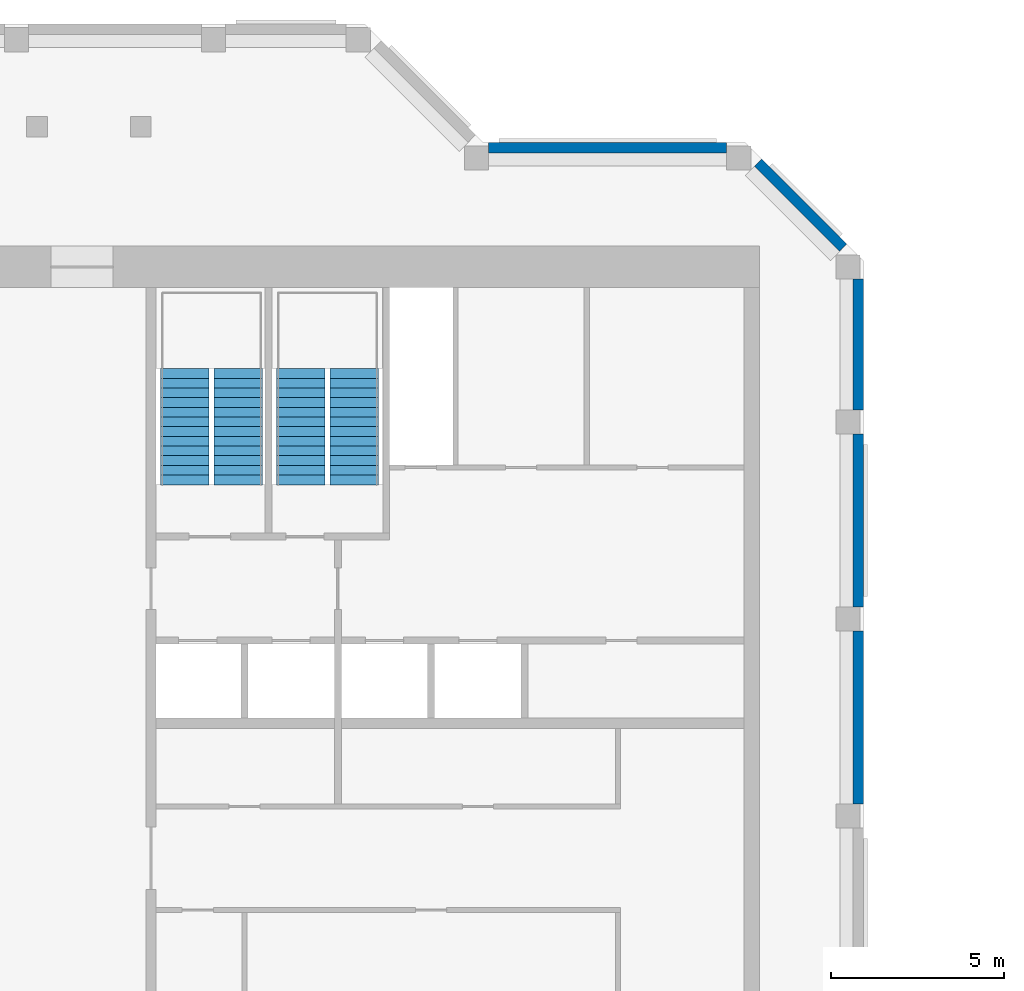
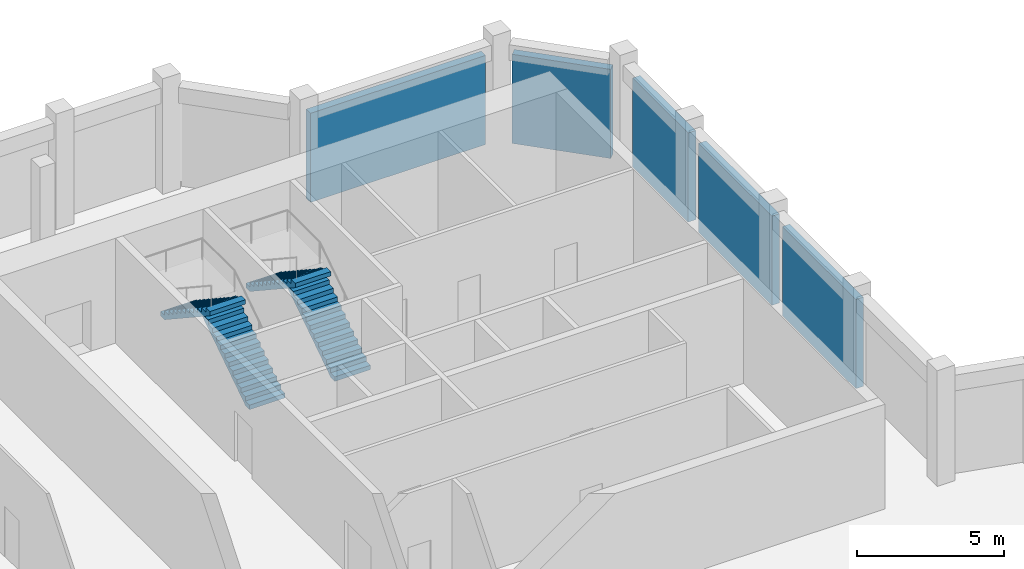
# One storey, part 4 of 5: 5 walls, 4 stair flights, 2 elements without a shape of their own.
"""IFC4 building model written with IfcOpenShell, lengths in metres."""

from ifc_helpers import new_model, si_unit, direction, frame, frame_2d, origin, place, context, subcontext, project, spatial, polyline, rectangle, outline, extrude, material, layer, layer_set, type_object, element, aggregate, save


model = new_model("IFC4")

# Units and contexts
model_context = context("Model", 3, precision=1e-05, world=origin(), true_north=direction((0.0, 1.0)))
body_context = subcontext(model_context, "Body", "Model", "MODEL_VIEW")
ifc_project = project(units=[si_unit("LENGTHUNIT", "METRE"), si_unit("AREAUNIT", "SQUARE_METRE"), si_unit("VOLUMEUNIT", "CUBIC_METRE"), si_unit("PLANEANGLEUNIT", "RADIAN"), si_unit("MASSUNIT", "GRAM", prefix="KILO")], contexts=[model_context])

# Site, building, storey
site_placement = place(None, origin())
site = spatial("IfcSite", under=ifc_project, at=site_placement, CompositionType="ELEMENT")
building_placement = place(site_placement, origin())
building = spatial("IfcBuilding", under=site, at=building_placement, Name="Meshkara Civic Tower", CompositionType="ELEMENT")
storey_placement = place(building_placement, frame((0.0, 0.0, 414.60009765625)))
storey = spatial("IfcBuildingStorey", under=building, at=storey_placement, Name="L95 Crown", CompositionType="ELEMENT", Elevation=414.60009765625)

# Walls
ifc_material_1 = material(Name="Insulated infill panel with bronze anodised aluminium cladding", Category="aluminium")
ifc_layer = layer(ifc_material_1, 0.300048828125)
ifc_layer_set = layer_set([ifc_layer], Name="CROWN WALL 300")
wall_type = type_object("IfcWallType", Name="CROWN WALL 300", PredefinedType="SOLIDWALL", material=ifc_layer_set)
for number, where, z_axis, x_axis, name in (
    (1, (33.64990234375, 20.76904296875, 0.0), (0.0, 0.0, 1.0), (0.0, 1.0, 0.0), "Crown external wall"),
    (2, (33.64990234375, 26.468994140625, 0.0), (0.0, 0.0, 1.0), (0.0, 1.0, 0.0), "Crown external wall"),
):
    element("IfcWall", number, at=place(storey_placement, frame(where, z_axis=z_axis, x_axis=x_axis)), inside=storey, type_object=wall_type, Name=name, PredefinedType="SOLIDWALL", context=body_context, shape_type="SweptSolid", body=[
        extrude(rectangle(XDim=5.0, YDim=0.300048828125, at=frame_2d((2.5, 0.0))), origin(), (0.0, 0.0, 1.0), 3.699951171875),
    ])
wall_1_placement = place(storey_placement, frame((33.64990234375, 32.1689453125, 0.0), z_axis=(0.0, 0.0, 1.0), x_axis=(0.0, 1.0, 0.0)))
element("IfcWall", 3, at=wall_1_placement, inside=storey, type_object=wall_type, Name="Crown external wall", PredefinedType="SOLIDWALL", context=body_context, shape_type="SweptSolid", body=[
    extrude(rectangle(XDim=3.775146484375, YDim=0.300048828125, at=frame_2d((1.8876953125, 0.0))), origin(), (0.0, 0.0, 1.0), 3.699951171875),
])
wall_2_placement = place(storey_placement, frame((33.2119140625, 36.85595703125, 0.0), z_axis=(0.0, 0.0, 1.0), x_axis=(-0.707071634094, 0.707141926532, 0.0)))
element("IfcWall", 4, at=wall_2_placement, inside=storey, type_object=wall_type, Name="Crown external wall", PredefinedType="SOLIDWALL", context=body_context, shape_type="SweptSolid", body=[
    extrude(rectangle(XDim=3.47314453125, YDim=0.300048828125, at=frame_2d((1.736572265625, 0.0))), origin(), (0.0, 0.0, 1.0), 3.699951171875),
])
wall_3_placement = place(storey_placement, frame((29.843994140625, 39.75, 0.0), z_axis=(0.0, 0.0, 1.0), x_axis=(-1.0, 0.0, 0.0)))
element("IfcWall", 5, at=wall_3_placement, inside=storey, type_object=wall_type, Name="Crown external wall", PredefinedType="SOLIDWALL", context=body_context, shape_type="SweptSolid", body=[
    extrude(rectangle(XDim=6.8798828125, YDim=0.300048828125, at=frame_2d((3.43994140625, 0.0))), origin(), (0.0, 0.0, 1.0), 3.699951171875),
])

# Stair, stair flights
ifc_material_2 = material(Name="Precast concrete C40/50", Category="concrete")
stair_type = type_object("IfcStairType", Name="Exit stair half-turn 26 risers precast", PredefinedType="HALF_TURN_STAIR", material=ifc_material_2)
stair_1_placement = place(storey_placement, origin())
stair_1 = element("IfcStair", 6, at=stair_1_placement, inside=storey, type_object=stair_type, Name="L95 Crown exit stair 1", PredefinedType="HALF_TURN_STAIR")
ifc_material_3 = material(Name="Precast concrete C40/50", Category="concrete")
stair_flight_type = type_object("IfcStairFlightType", Name="Exit stair flight 13 risers precast", PredefinedType="STRAIGHT", material=ifc_material_3)
stair_flight_1_placement = place(storey_placement, frame((15.72509765625, 30.0, 0.0), z_axis=(0.0, 0.0, 1.0), x_axis=(0.0, 1.0, 0.0)))
stair_flight_1 = element("IfcStairFlight", 7, at=stair_flight_1_placement, type_object=stair_flight_type, Name="ST1 flight 1", NumberOfRisers=13, NumberOfTreads=12, PredefinedType="STRAIGHT", RiserHeight=0.184615385, TreadLength=0.28, context=body_context, shape_type="SweptSolid", body=[
    extrude(outline(polyline([(0.0, 0.0), (0.0, 0.1845703125), (0.280029296875, 0.1845703125), (0.280029296875, 0.369140625), (0.56005859375, 0.369140625), (0.56005859375, 0.553955078125), (0.840087890625, 0.553955078125), (0.840087890625, 0.738525390625), (1.1201171875, 0.738525390625), (1.1201171875, 0.923095703125), (1.39990234375, 0.923095703125), (1.39990234375, 1.107666015625), (1.679931640625, 1.107666015625), (1.679931640625, 1.292236328125), (1.9599609375, 1.292236328125), (1.9599609375, 1.476806640625), (2.239990234375, 1.476806640625), (2.239990234375, 1.66162109375), (2.52001953125, 1.66162109375), (2.52001953125, 1.84619140625), (2.800048828125, 1.84619140625), (2.800048828125, 2.03076171875), (3.080078125, 2.03076171875), (3.080078125, 2.21533203125), (3.360107421875, 2.21533203125), (3.360107421875, 2.39990234375), (3.360107421875, 2.035888671875), (0.272216796875, 0.0), (0.0, 0.0)])), frame((0.0, 0.699951171875, 0.0), z_axis=(0.0, -1.0, 0.0), x_axis=(1.0, 0.0, 0.0)), (0.0, 0.0, 1.0), 1.39990234375),
])
stair_flight_2_placement = place(storey_placement, frame((14.175048828125, 33.360107421875, 2.39990234375), z_axis=(0.0, 0.0, 1.0), x_axis=(0.0, -1.0, 0.0)))
stair_flight_2 = element("IfcStairFlight", 8, at=stair_flight_2_placement, type_object=stair_flight_type, Name="ST1 flight 2", NumberOfRisers=13, NumberOfTreads=12, PredefinedType="STRAIGHT", RiserHeight=0.184615385, TreadLength=0.28, context=body_context, shape_type="SweptSolid", body=[
    extrude(outline(polyline([(0.0, 0.0), (0.0, 0.1845703125), (0.280029296875, 0.1845703125), (0.280029296875, 0.369140625), (0.56005859375, 0.369140625), (0.56005859375, 0.553955078125), (0.840087890625, 0.553955078125), (0.840087890625, 0.738525390625), (1.1201171875, 0.738525390625), (1.1201171875, 0.923095703125), (1.39990234375, 0.923095703125), (1.39990234375, 1.107666015625), (1.679931640625, 1.107666015625), (1.679931640625, 1.292236328125), (1.9599609375, 1.292236328125), (1.9599609375, 1.476806640625), (2.239990234375, 1.476806640625), (2.239990234375, 1.66162109375), (2.52001953125, 1.66162109375), (2.52001953125, 1.84619140625), (2.800048828125, 1.84619140625), (2.800048828125, 2.03076171875), (3.080078125, 2.03076171875), (3.080078125, 2.21533203125), (3.360107421875, 2.21533203125), (3.360107421875, 2.39990234375), (3.360107421875, 2.035888671875), (0.272216796875, 0.0), (0.0, 0.0)])), frame((0.0, 0.699951171875, 0.0), z_axis=(0.0, -1.0, 0.0), x_axis=(1.0, 0.0, 0.0)), (0.0, 0.0, 1.0), 1.39990234375),
])
aggregate(stair_1, [stair_flight_1, stair_flight_2])

stair_2_placement = place(storey_placement, origin())
stair_2 = element("IfcStair", 9, at=stair_2_placement, inside=storey, type_object=stair_type, Name="L95 Crown exit stair 2", PredefinedType="HALF_TURN_STAIR")
stair_flight_3_placement = place(storey_placement, frame((19.074951171875, 30.0, 0.0), z_axis=(0.0, 0.0, 1.0), x_axis=(0.0, 1.0, 0.0)))
stair_flight_3 = element("IfcStairFlight", 10, at=stair_flight_3_placement, type_object=stair_flight_type, Name="ST2 flight 1", NumberOfRisers=13, NumberOfTreads=12, PredefinedType="STRAIGHT", RiserHeight=0.184615385, TreadLength=0.28, context=body_context, shape_type="SweptSolid", body=[
    extrude(outline(polyline([(0.0, 0.0), (0.0, 0.1845703125), (0.280029296875, 0.1845703125), (0.280029296875, 0.369140625), (0.56005859375, 0.369140625), (0.56005859375, 0.553955078125), (0.840087890625, 0.553955078125), (0.840087890625, 0.738525390625), (1.1201171875, 0.738525390625), (1.1201171875, 0.923095703125), (1.39990234375, 0.923095703125), (1.39990234375, 1.107666015625), (1.679931640625, 1.107666015625), (1.679931640625, 1.292236328125), (1.9599609375, 1.292236328125), (1.9599609375, 1.476806640625), (2.239990234375, 1.476806640625), (2.239990234375, 1.66162109375), (2.52001953125, 1.66162109375), (2.52001953125, 1.84619140625), (2.800048828125, 1.84619140625), (2.800048828125, 2.03076171875), (3.080078125, 2.03076171875), (3.080078125, 2.21533203125), (3.360107421875, 2.21533203125), (3.360107421875, 2.39990234375), (3.360107421875, 2.035888671875), (0.272216796875, 0.0), (0.0, 0.0)])), frame((0.0, 0.699951171875, 0.0), z_axis=(0.0, -1.0, 0.0), x_axis=(1.0, 0.0, 0.0)), (0.0, 0.0, 1.0), 1.39990234375),
])
stair_flight_4_placement = place(storey_placement, frame((17.52490234375, 33.360107421875, 2.39990234375), z_axis=(0.0, 0.0, 1.0), x_axis=(0.0, -1.0, 0.0)))
stair_flight_4 = element("IfcStairFlight", 11, at=stair_flight_4_placement, type_object=stair_flight_type, Name="ST2 flight 2", NumberOfRisers=13, NumberOfTreads=12, PredefinedType="STRAIGHT", RiserHeight=0.184615385, TreadLength=0.28, context=body_context, shape_type="SweptSolid", body=[
    extrude(outline(polyline([(0.0, 0.0), (0.0, 0.1845703125), (0.280029296875, 0.1845703125), (0.280029296875, 0.369140625), (0.56005859375, 0.369140625), (0.56005859375, 0.553955078125), (0.840087890625, 0.553955078125), (0.840087890625, 0.738525390625), (1.1201171875, 0.738525390625), (1.1201171875, 0.923095703125), (1.39990234375, 0.923095703125), (1.39990234375, 1.107666015625), (1.679931640625, 1.107666015625), (1.679931640625, 1.292236328125), (1.9599609375, 1.292236328125), (1.9599609375, 1.476806640625), (2.239990234375, 1.476806640625), (2.239990234375, 1.66162109375), (2.52001953125, 1.66162109375), (2.52001953125, 1.84619140625), (2.800048828125, 1.84619140625), (2.800048828125, 2.03076171875), (3.080078125, 2.03076171875), (3.080078125, 2.21533203125), (3.360107421875, 2.21533203125), (3.360107421875, 2.39990234375), (3.360107421875, 2.035888671875), (0.272216796875, 0.0), (0.0, 0.0)])), frame((0.0, 0.699951171875, 0.0), z_axis=(0.0, -1.0, 0.0), x_axis=(1.0, 0.0, 0.0)), (0.0, 0.0, 1.0), 1.39990234375),
])
aggregate(stair_2, [stair_flight_3, stair_flight_4])

save(model, "model.ifc")
